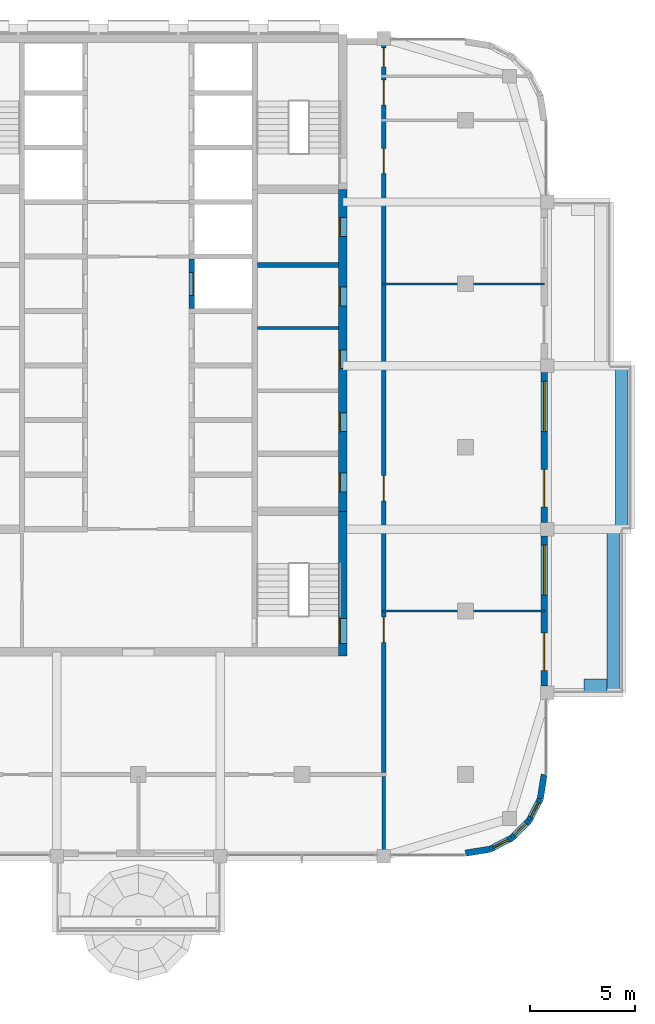
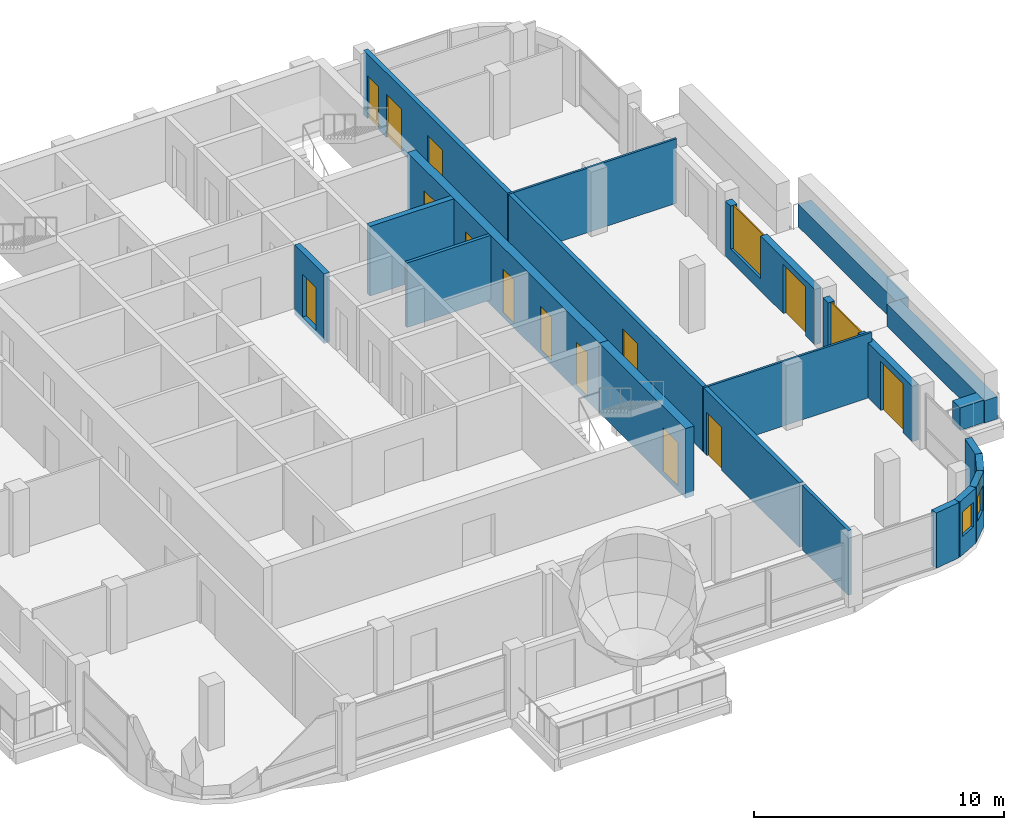
# One storey, part 12 of 19: 19 walls, 14 doors, 5 windows, 19 openings.
"""IFC4 building model written with IfcOpenShell, lengths in metres."""

from ifc_helpers import new_model, si_unit, direction, frame, frame_2d, origin, place, context, subcontext, project, spatial, rectangle, extrude, material, layer, layer_set, type_object, element, fill, save


model = new_model("IFC4")

# Units and contexts
model_context = context("Model", 3, precision=1e-05, world=origin(), true_north=direction((0.0, 1.0)))
body_context = subcontext(model_context, "Body", "Model", "MODEL_VIEW")
ifc_project = project(units=[si_unit("LENGTHUNIT", "METRE"), si_unit("AREAUNIT", "SQUARE_METRE"), si_unit("VOLUMEUNIT", "CUBIC_METRE"), si_unit("PLANEANGLEUNIT", "RADIAN"), si_unit("MASSUNIT", "GRAM", prefix="KILO")], contexts=[model_context])

# Site, building, storey
site_placement = place(None, origin())
site = spatial("IfcSite", under=ifc_project, at=site_placement, CompositionType="ELEMENT")
building_placement = place(site_placement, origin())
building = spatial("IfcBuilding", under=site, at=building_placement, Name="Ludao Terraces", CompositionType="ELEMENT")
storey_placement = place(building_placement, frame((0.0, 0.0, 256.199951171875)))
storey = spatial("IfcBuildingStorey", under=building, at=storey_placement, Name="L70", CompositionType="ELEMENT", Elevation=256.199951171875)

# Wall, opening, door
ifc_material_1 = material(Name="Concrete C50", Category="concrete")
ifc_layer_1 = layer(ifc_material_1, 0.39990234375)
ifc_layer_set_1 = layer_set([ifc_layer_1], Name="Core wall 400 C50")
wall_type_1 = type_object("IfcWallType", Name="Core wall 400 C50", PredefinedType="SOLIDWALL", material=ifc_layer_set_1)
wall_1_placement = place(storey_placement, frame((94.75, 55.050048828125, -0.25), z_axis=(0.0, 0.0, 1.0), x_axis=(0.0, 1.0, 0.0)))
wall_1 = element("IfcWall", 1, at=wall_1_placement, inside=storey, type_object=wall_type_1, Name="Core wall L70 outer-E-S3", PredefinedType="SOLIDWALL", context=body_context, shape_type="SweptSolid", body=[
    extrude(rectangle(XDim=6.89990234375, YDim=0.39990234375, at=frame_2d((3.449951171875, 0.0))), origin(), (0.0, 0.0, 1.0), 3.400146484375),
])
opening_1_placement = place(wall_1_placement, frame((0.60009765625, 0.0, 0.25)))
opening_1 = element("IfcOpeningElement", 2, at=opening_1_placement, cuts=wall_1, Name="Opening C4-005", PredefinedType="OPENING", context=body_context, shape_type="SweptSolid", body=[
    extrude(rectangle(XDim=1.199951171875, YDim=2.10009765625, at=frame_2d((0.60009765625, 1.050048828125))), frame((0.0, 0.2099609375, 0.0), z_axis=(0.0, -1.0, 0.0), x_axis=(1.0, 0.0, 0.0)), (0.0, 0.0, 1.0), 0.419921875),
])
ifc_material_2 = material(Name="Steel Q235", Category="steel")
door_type_1 = type_object("IfcDoorType", Name="INT Stair door 1200", OperationType="DOUBLE_DOOR_SINGLE_SWING", PredefinedType="DOOR", material=ifc_material_2)
door_1_placement = place(opening_1_placement, origin())
door_1 = element("IfcDoor", 3, at=door_1_placement, inside=storey, type_object=door_type_1, Name="DOOR 005", OperationType="DOUBLE_DOOR_SINGLE_SWING", OverallHeight=2.10009765625, OverallWidth=1.199951171875, PredefinedType="DOOR", context=body_context, shape_type="SweptSolid", body=[
    extrude(rectangle(XDim=1.199951171875, YDim=2.10009765625, at=frame_2d((0.60009765625, 1.050048828125))), frame((0.0, 0.18505859375, 0.0), z_axis=(0.0, -1.0, 0.0), x_axis=(1.0, 0.0, 0.0)), (0.0, 0.0, 1.0), 0.050048828125),
])
fill(opening_1, door_1)

# Wall, openings, doors
wall_2_placement = place(storey_placement, frame((94.75, 61.949951171875, -0.25), z_axis=(0.0, 0.0, 1.0), x_axis=(0.0, 1.0, 0.0)))
wall_2 = element("IfcWall", 4, at=wall_2_placement, inside=storey, type_object=wall_type_1, Name="Core wall L70 outer-E", PredefinedType="SOLIDWALL", context=body_context, shape_type="SweptSolid", body=[
    extrude(rectangle(XDim=15.35009765625, YDim=0.39990234375, at=frame_2d((7.675048828125, 0.0))), origin(), (0.0, 0.0, 1.0), 3.400146484375),
])
opening_2_placement = place(wall_2_placement, frame((0.925048828125, 0.0, 0.25)))
opening_2 = element("IfcOpeningElement", 5, at=opening_2_placement, cuts=wall_2, Name="Opening C4-015", PredefinedType="OPENING", context=body_context, shape_type="SweptSolid", body=[
    extrude(rectangle(XDim=0.89990234375, YDim=2.10009765625, at=frame_2d((0.449951171875, 1.050048828125))), frame((0.0, 0.2099609375, 0.0), z_axis=(0.0, -1.0, 0.0), x_axis=(1.0, 0.0, 0.0)), (0.0, 0.0, 1.0), 0.419921875),
])
opening_3_placement = place(wall_2_placement, frame((3.800048828125, 0.0, 0.25)))
opening_3 = element("IfcOpeningElement", 6, at=opening_3_placement, cuts=wall_2, Name="Opening C4-019", PredefinedType="OPENING", context=body_context, shape_type="SweptSolid", body=[
    extrude(rectangle(XDim=0.89990234375, YDim=2.10009765625, at=frame_2d((0.449951171875, 1.050048828125))), frame((0.0, 0.2099609375, 0.0), z_axis=(0.0, -1.0, 0.0), x_axis=(1.0, 0.0, 0.0)), (0.0, 0.0, 1.0), 0.419921875),
])
opening_4_placement = place(wall_2_placement, frame((6.800048828125, 0.0, 0.25)))
opening_4 = element("IfcOpeningElement", 7, at=opening_4_placement, cuts=wall_2, Name="Opening C4-024", PredefinedType="OPENING", context=body_context, shape_type="SweptSolid", body=[
    extrude(rectangle(XDim=0.89990234375, YDim=2.10009765625, at=frame_2d((0.449951171875, 1.050048828125))), frame((0.0, 0.2099609375, 0.0), z_axis=(0.0, -1.0, 0.0), x_axis=(1.0, 0.0, 0.0)), (0.0, 0.0, 1.0), 0.419921875),
])
opening_5_placement = place(wall_2_placement, frame((9.800048828125, 0.0, 0.25)))
opening_5 = element("IfcOpeningElement", 8, at=opening_5_placement, cuts=wall_2, Name="Opening C4-028", PredefinedType="OPENING", context=body_context, shape_type="SweptSolid", body=[
    extrude(rectangle(XDim=0.89990234375, YDim=2.10009765625, at=frame_2d((0.449951171875, 1.050048828125))), frame((0.0, 0.2099609375, 0.0), z_axis=(0.0, -1.0, 0.0), x_axis=(1.0, 0.0, 0.0)), (0.0, 0.0, 1.0), 0.419921875),
])
opening_6_placement = place(wall_2_placement, frame((13.10009765625, 0.0, 0.25)))
opening_6 = element("IfcOpeningElement", 9, at=opening_6_placement, cuts=wall_2, Name="Opening C4-035", PredefinedType="OPENING", context=body_context, shape_type="SweptSolid", body=[
    extrude(rectangle(XDim=0.89990234375, YDim=2.10009765625, at=frame_2d((0.449951171875, 1.050048828125))), frame((0.0, 0.2099609375, 0.0), z_axis=(0.0, -1.0, 0.0), x_axis=(1.0, 0.0, 0.0)), (0.0, 0.0, 1.0), 0.419921875),
])
door_type_2 = type_object("IfcDoorType", Name="INT Riser door 900", OperationType="SINGLE_SWING_LEFT", PredefinedType="DOOR", material=ifc_material_2)
door_2_placement = place(opening_2_placement, origin())
door_2 = element("IfcDoor", 10, at=door_2_placement, inside=storey, type_object=door_type_2, Name="DOOR 015", OperationType="SINGLE_SWING_LEFT", OverallHeight=2.10009765625, OverallWidth=0.89990234375, PredefinedType="DOOR", context=body_context, shape_type="SweptSolid", body=[
    extrude(rectangle(XDim=0.89990234375, YDim=2.10009765625, at=frame_2d((0.449951171875, 1.050048828125))), frame((0.0, 0.18505859375, 0.0), z_axis=(0.0, -1.0, 0.0), x_axis=(1.0, 0.0, 0.0)), (0.0, 0.0, 1.0), 0.050048828125),
])
fill(opening_2, door_2)
door_3_placement = place(opening_6_placement, origin())
door_3 = element("IfcDoor", 11, at=door_3_placement, inside=storey, type_object=door_type_2, Name="DOOR 035", OperationType="SINGLE_SWING_RIGHT", OverallHeight=2.10009765625, OverallWidth=0.89990234375, PredefinedType="DOOR", context=body_context, shape_type="SweptSolid", body=[
    extrude(rectangle(XDim=0.89990234375, YDim=2.10009765625, at=frame_2d((0.449951171875, 1.050048828125))), frame((0.0, 0.18505859375, 0.0), z_axis=(0.0, -1.0, 0.0), x_axis=(1.0, 0.0, 0.0)), (0.0, 0.0, 1.0), 0.050048828125),
])
fill(opening_6, door_3)
ifc_material_3 = material(Name="Timber door leaf", Category="wood")
door_type_3 = type_object("IfcDoorType", Name="INT Room door 900", OperationType="SINGLE_SWING_LEFT", PredefinedType="DOOR", material=ifc_material_3)
door_4_placement = place(opening_3_placement, origin())
door_4 = element("IfcDoor", 12, at=door_4_placement, inside=storey, type_object=door_type_3, Name="DOOR 019", OperationType="SINGLE_SWING_LEFT", OverallHeight=2.10009765625, OverallWidth=0.89990234375, PredefinedType="DOOR", context=body_context, shape_type="SweptSolid", body=[
    extrude(rectangle(XDim=0.89990234375, YDim=2.10009765625, at=frame_2d((0.449951171875, 1.050048828125))), frame((0.0, 0.18505859375, 0.0), z_axis=(0.0, -1.0, 0.0), x_axis=(1.0, 0.0, 0.0)), (0.0, 0.0, 1.0), 0.050048828125),
])
fill(opening_3, door_4)
door_5_placement = place(opening_4_placement, origin())
door_5 = element("IfcDoor", 13, at=door_5_placement, inside=storey, type_object=door_type_3, Name="DOOR 024", OperationType="SINGLE_SWING_LEFT", OverallHeight=2.10009765625, OverallWidth=0.89990234375, PredefinedType="DOOR", context=body_context, shape_type="SweptSolid", body=[
    extrude(rectangle(XDim=0.89990234375, YDim=2.10009765625, at=frame_2d((0.449951171875, 1.050048828125))), frame((0.0, 0.18505859375, 0.0), z_axis=(0.0, -1.0, 0.0), x_axis=(1.0, 0.0, 0.0)), (0.0, 0.0, 1.0), 0.050048828125),
])
fill(opening_4, door_5)
door_6_placement = place(opening_5_placement, origin())
door_6 = element("IfcDoor", 14, at=door_6_placement, inside=storey, type_object=door_type_3, Name="DOOR 028", OperationType="SINGLE_SWING_LEFT", OverallHeight=2.10009765625, OverallWidth=0.89990234375, PredefinedType="DOOR", context=body_context, shape_type="SweptSolid", body=[
    extrude(rectangle(XDim=0.89990234375, YDim=2.10009765625, at=frame_2d((0.449951171875, 1.050048828125))), frame((0.0, 0.18505859375, 0.0), z_axis=(0.0, -1.0, 0.0), x_axis=(1.0, 0.0, 0.0)), (0.0, 0.0, 1.0), 0.050048828125),
])
fill(opening_5, door_6)

# Walls
ifc_material_4 = material(Name="Concrete C40", Category="concrete")
ifc_layer_2 = layer(ifc_material_4, 0.60009765625)
ifc_layer_set_2 = layer_set([ifc_layer_2], Name="ENV Planter trough 600")
wall_type_2 = type_object("IfcWallType", Name="ENV Planter trough 600", PredefinedType="USERDEFINED", material=ifc_layer_set_2)
wall_3_placement = place(storey_placement, frame((107.64990234375, 53.300048828125, 0.0), z_axis=(0.0, 0.0, 1.0), x_axis=(0.0, 1.0, 0.0)))
element("IfcWall", 15, at=wall_3_placement, inside=storey, type_object=wall_type_2, Name="PL-L70-E1", ObjectType="PLANTER", PredefinedType="USERDEFINED", context=body_context, shape_type="SweptSolid", body=[
    extrude(rectangle(XDim=7.800048828125, YDim=0.60009765625, at=frame_2d((3.89990234375, 0.0))), origin(), (0.0, 0.0, 1.0), 1.10009765625),
])
wall_4_placement = place(storey_placement, frame((107.35009765625, 53.64990234375, 0.0), z_axis=(0.0, 0.0, 1.0), x_axis=(-1.0, 0.0, 0.0)))
element("IfcWall", 16, at=wall_4_placement, inside=storey, type_object=wall_type_2, Name="PL-L70-E1-SA", ObjectType="PLANTER", PredefinedType="USERDEFINED", context=body_context, shape_type="SweptSolid", body=[
    extrude(rectangle(XDim=1.10009765625, YDim=0.60009765625, at=frame_2d((0.550048828125, 0.0))), origin(), (0.0, 0.0, 1.0), 1.10009765625),
])
wall_5_placement = place(storey_placement, frame((108.050048828125, 61.10009765625, 0.0), z_axis=(0.0, 0.0, 1.0), x_axis=(0.0, 1.0, 0.0)))
element("IfcWall", 17, at=wall_5_placement, inside=storey, type_object=wall_type_2, Name="PL-L70-E2", ObjectType="PLANTER", PredefinedType="USERDEFINED", context=body_context, shape_type="SweptSolid", body=[
    extrude(rectangle(XDim=7.7998046875, YDim=0.60009765625, at=frame_2d((3.89990234375, 0.0))), origin(), (0.0, 0.0, 1.0), 1.10009765625),
])

# Wall, openings, door, window
ifc_material_5 = material(Name="Granite cladding", Category="masonry")
ifc_layer_3 = layer(ifc_material_5, 0.0400390625, Category="stone")
ifc_material_6 = material(Name="Mineral wool")
ifc_layer_4 = layer(ifc_material_6, 0.06005859375)
ifc_layer_5 = layer(ifc_material_4, 0.199951171875, Category="concrete")
ifc_layer_set_3 = layer_set([ifc_layer_3, ifc_layer_4, ifc_layer_5], Name="ENV Stone-clad wall 300")
wall_type_3 = type_object("IfcWallType", Name="ENV Stone-clad wall 300", PredefinedType="SOLIDWALL", material=ifc_layer_set_3)
wall_6_placement = place(storey_placement, frame((104.35009765625, 53.625, 0.0), z_axis=(0.0, 0.0, 1.0), x_axis=(0.0, 1.0, 0.0)))
wall_6 = element("IfcWall", 18, at=wall_6_placement, inside=storey, type_object=wall_type_3, Name="EW-L70-E2", PredefinedType="SOLIDWALL", context=body_context, shape_type="SweptSolid", body=[
    extrude(rectangle(XDim=7.14990234375, YDim=0.300048828125, at=frame_2d((3.574951171875, 0.0))), origin(), (0.0, 0.0, 1.0), 2.699951171875),
])
opening_7_placement = place(wall_6_placement, frame((0.72509765625, 0.0, 0.0)))
opening_7 = element("IfcOpeningElement", 19, at=opening_7_placement, cuts=wall_6, Name="Opening BD", PredefinedType="OPENING", context=body_context, shape_type="SweptSolid", body=[
    extrude(rectangle(XDim=1.800048828125, YDim=2.39990234375, at=frame_2d((0.89990234375, 1.199951171875))), frame((0.0, 0.16015625, 0.0), z_axis=(0.0, -1.0, 0.0), x_axis=(1.0, 0.0, 0.0)), (0.0, 0.0, 1.0), 0.320068359375),
])
opening_8_placement = place(wall_6_placement, frame((4.324951171875, 0.0, 0.60009765625)))
opening_8 = element("IfcOpeningElement", 20, at=opening_8_placement, cuts=wall_6, Name="Opening W4", PredefinedType="OPENING", context=body_context, shape_type="SweptSolid", body=[
    extrude(rectangle(XDim=2.39990234375, YDim=2.10009765625, at=frame_2d((1.199951171875, 1.050048828125))), frame((0.0, 0.16015625, 0.0), z_axis=(0.0, -1.0, 0.0), x_axis=(1.0, 0.0, 0.0)), (0.0, 0.0, 1.0), 0.320068359375),
])
ifc_material_7 = material(Name="Aluminium glazed door", Category="aluminium")
ifc_layer_6 = layer(ifc_material_7, 0.06005859375)
ifc_layer_set_4 = layer_set([ifc_layer_6], Name="ENV Balcony door BD 1800x2400")
door_type_4 = type_object("IfcDoorType", Name="ENV Balcony door BD 1800x2400", OperationType="DOUBLE_DOOR_SINGLE_SWING", PredefinedType="DOOR", material=ifc_layer_set_4)
door_7_placement = place(opening_7_placement, origin())
door_7 = element("IfcDoor", 21, at=door_7_placement, inside=storey, type_object=door_type_4, Name="BD-L70-E2-1", OperationType="DOUBLE_DOOR_SINGLE_SWING", OverallHeight=2.39990234375, OverallWidth=1.800048828125, PredefinedType="DOOR", context=body_context, shape_type="SweptSolid", body=[
    extrude(rectangle(XDim=1.800048828125, YDim=2.39990234375, at=frame_2d((0.89990234375, 1.199951171875))), frame((0.0, 0.02490234375, 0.0), z_axis=(0.0, -1.0, 0.0), x_axis=(1.0, 0.0, 0.0)), (0.0, 0.0, 1.0), 0.050048828125),
])
fill(opening_7, door_7)
ifc_material_8 = material(Name="Clear glass in aluminium frame", Category="aluminium")
ifc_layer_7 = layer(ifc_material_8, 0.06005859375)
ifc_layer_set_5 = layer_set([ifc_layer_7], Name="ENV Window W4 2400x2100")
window_type_1 = type_object("IfcWindowType", Name="ENV Window W4 2400x2100", PartitioningType="SINGLE_PANEL", PredefinedType="WINDOW", material=ifc_layer_set_5)
window_1_placement = place(opening_8_placement, origin())
window_1 = element("IfcWindow", 22, at=window_1_placement, inside=storey, type_object=window_type_1, Name="W-L70-E2-2", OverallHeight=2.10009765625, OverallWidth=2.39990234375, PartitioningType="SINGLE_PANEL", PredefinedType="WINDOW", context=body_context, shape_type="SweptSolid", body=[
    extrude(rectangle(XDim=2.39990234375, YDim=2.10009765625, at=frame_2d((1.199951171875, 1.050048828125))), frame((0.0, 0.030029296875, 0.0), z_axis=(0.0, -1.0, 0.0), x_axis=(1.0, 0.0, 0.0)), (0.0, 0.0, 1.0), 0.06005859375),
])
fill(opening_8, window_1)

wall_7_placement = place(storey_placement, frame((104.35009765625, 61.425048828125, 0.0), z_axis=(0.0, 0.0, 1.0), x_axis=(0.0, 1.0, 0.0)))
wall_7 = element("IfcWall", 23, at=wall_7_placement, inside=storey, type_object=wall_type_3, Name="EW-L70-E3", PredefinedType="SOLIDWALL", context=body_context, shape_type="SweptSolid", body=[
    extrude(rectangle(XDim=7.14990234375, YDim=0.300048828125, at=frame_2d((3.574951171875, 0.0))), origin(), (0.0, 0.0, 1.0), 2.699951171875),
])
opening_9_placement = place(wall_7_placement, frame((0.72509765625, 0.0, 0.0)))
opening_9 = element("IfcOpeningElement", 24, at=opening_9_placement, cuts=wall_7, Name="Opening BD", PredefinedType="OPENING", context=body_context, shape_type="SweptSolid", body=[
    extrude(rectangle(XDim=1.800048828125, YDim=2.39990234375, at=frame_2d((0.89990234375, 1.199951171875))), frame((0.0, 0.16015625, 0.0), z_axis=(0.0, -1.0, 0.0), x_axis=(1.0, 0.0, 0.0)), (0.0, 0.0, 1.0), 0.320068359375),
])
opening_10_placement = place(wall_7_placement, frame((4.324951171875, 0.0, 0.60009765625)))
opening_10 = element("IfcOpeningElement", 25, at=opening_10_placement, cuts=wall_7, Name="Opening W4", PredefinedType="OPENING", context=body_context, shape_type="SweptSolid", body=[
    extrude(rectangle(XDim=2.39990234375, YDim=2.10009765625, at=frame_2d((1.199951171875, 1.050048828125))), frame((0.0, 0.16015625, 0.0), z_axis=(0.0, -1.0, 0.0), x_axis=(1.0, 0.0, 0.0)), (0.0, 0.0, 1.0), 0.320068359375),
])
door_8_placement = place(opening_9_placement, origin())
door_8 = element("IfcDoor", 26, at=door_8_placement, inside=storey, type_object=door_type_4, Name="BD-L70-E3-1", OperationType="DOUBLE_DOOR_SINGLE_SWING", OverallHeight=2.39990234375, OverallWidth=1.800048828125, PredefinedType="DOOR", context=body_context, shape_type="SweptSolid", body=[
    extrude(rectangle(XDim=1.800048828125, YDim=2.39990234375, at=frame_2d((0.89990234375, 1.199951171875))), frame((0.0, 0.02490234375, 0.0), z_axis=(0.0, -1.0, 0.0), x_axis=(1.0, 0.0, 0.0)), (0.0, 0.0, 1.0), 0.050048828125),
])
fill(opening_9, door_8)
window_2_placement = place(opening_10_placement, origin())
window_2 = element("IfcWindow", 27, at=window_2_placement, inside=storey, type_object=window_type_1, Name="W-L70-E3-2", OverallHeight=2.10009765625, OverallWidth=2.39990234375, PartitioningType="SINGLE_PANEL", PredefinedType="WINDOW", context=body_context, shape_type="SweptSolid", body=[
    extrude(rectangle(XDim=2.39990234375, YDim=2.10009765625, at=frame_2d((1.199951171875, 1.050048828125))), frame((0.0, 0.030029296875, 0.0), z_axis=(0.0, -1.0, 0.0), x_axis=(1.0, 0.0, 0.0)), (0.0, 0.0, 1.0), 0.06005859375),
])
fill(opening_10, window_2)

# Wall
wall_8_placement = place(storey_placement, frame((100.60009765625, 45.64990234375, 0.0), z_axis=(0.0, 0.0, 1.0), x_axis=(0.987678452879, 0.156496880861, 0.0)))
element("IfcWall", 28, at=wall_8_placement, inside=storey, type_object=wall_type_3, Name="EW-L70-SE1", PredefinedType="SOLIDWALL", context=body_context, shape_type="SweptSolid", body=[
    extrude(rectangle(XDim=1.173095703125, YDim=0.300048828125, at=frame_2d((0.58642578125, 0.0))), origin(), (0.0, 0.0, 1.0), 2.699951171875),
])

# Wall, opening, window
wall_9_placement = place(storey_placement, frame((101.7587890625, 45.83349609375, 0.0), z_axis=(0.0, 0.0, 1.0), x_axis=(0.890988677504, 0.454025524128, 0.0)))
wall_9 = element("IfcWall", 29, at=wall_9_placement, inside=storey, type_object=wall_type_3, Name="EW-L70-SE2", PredefinedType="SOLIDWALL", context=body_context, shape_type="SweptSolid", body=[
    extrude(rectangle(XDim=1.17333984375, YDim=0.300048828125, at=frame_2d((0.586669921875, 0.0))), origin(), (0.0, 0.0, 1.0), 2.699951171875),
])
opening_11_placement = place(wall_9_placement, frame((0.1865234375, 0.0, 0.89990234375)))
opening_11 = element("IfcOpeningElement", 30, at=opening_11_placement, cuts=wall_9, Name="Opening W3", PredefinedType="OPENING", context=body_context, shape_type="SweptSolid", body=[
    extrude(rectangle(XDim=0.800048828125, YDim=1.199951171875, at=frame_2d((0.39990234375, 0.60009765625))), frame((0.0, 0.16015625, 0.0), z_axis=(0.0, -1.0, 0.0), x_axis=(1.0, 0.0, 0.0)), (0.0, 0.0, 1.0), 0.320068359375),
])
ifc_layer_8 = layer(ifc_material_8, 0.06005859375)
ifc_layer_set_6 = layer_set([ifc_layer_8], Name="ENV Window W3 800x1200")
window_type_2 = type_object("IfcWindowType", Name="ENV Window W3 800x1200", PartitioningType="SINGLE_PANEL", PredefinedType="WINDOW", material=ifc_layer_set_6)
window_3_placement = place(opening_11_placement, origin())
window_3 = element("IfcWindow", 31, at=window_3_placement, inside=storey, type_object=window_type_2, Name="W-L70-SE2", OverallHeight=1.199951171875, OverallWidth=0.800048828125, PartitioningType="SINGLE_PANEL", PredefinedType="WINDOW", context=body_context, shape_type="SweptSolid", body=[
    extrude(rectangle(XDim=0.800048828125, YDim=1.199951171875, at=frame_2d((0.39990234375, 0.60009765625))), frame((0.0, 0.030029296875, 0.0), z_axis=(0.0, -1.0, 0.0), x_axis=(1.0, 0.0, 0.0)), (0.0, 0.0, 1.0), 0.06005859375),
])
fill(opening_11, window_3)

wall_10_placement = place(storey_placement, frame((102.80419921875, 46.3662109375, 0.0), z_axis=(0.0, 0.0, 1.0), x_axis=(0.707106781187, 0.707106781187, 0.0)))
wall_10 = element("IfcWall", 32, at=wall_10_placement, inside=storey, type_object=wall_type_3, Name="EW-L70-SE3", PredefinedType="SOLIDWALL", context=body_context, shape_type="SweptSolid", body=[
    extrude(rectangle(XDim=1.173095703125, YDim=0.300048828125, at=frame_2d((0.58642578125, 0.0))), origin(), (0.0, 0.0, 1.0), 2.699951171875),
])
opening_12_placement = place(wall_10_placement, frame((0.1865234375, 0.0, 0.89990234375)))
opening_12 = element("IfcOpeningElement", 33, at=opening_12_placement, cuts=wall_10, Name="Opening W3", PredefinedType="OPENING", context=body_context, shape_type="SweptSolid", body=[
    extrude(rectangle(XDim=0.800048828125, YDim=1.199951171875, at=frame_2d((0.39990234375, 0.60009765625))), frame((0.0, 0.16015625, 0.0), z_axis=(0.0, -1.0, 0.0), x_axis=(1.0, 0.0, 0.0)), (0.0, 0.0, 1.0), 0.320068359375),
])
window_4_placement = place(opening_12_placement, origin())
window_4 = element("IfcWindow", 34, at=window_4_placement, inside=storey, type_object=window_type_2, Name="W-L70-SE3", OverallHeight=1.199951171875, OverallWidth=0.800048828125, PartitioningType="SINGLE_PANEL", PredefinedType="WINDOW", context=body_context, shape_type="SweptSolid", body=[
    extrude(rectangle(XDim=0.800048828125, YDim=1.199951171875, at=frame_2d((0.39990234375, 0.60009765625))), frame((0.0, 0.030029296875, 0.0), z_axis=(0.0, -1.0, 0.0), x_axis=(1.0, 0.0, 0.0)), (0.0, 0.0, 1.0), 0.06005859375),
])
fill(opening_12, window_4)

wall_11_placement = place(storey_placement, frame((103.6337890625, 47.19580078125, 0.0), z_axis=(0.0, 0.0, 1.0), x_axis=(0.454025524128, 0.890988677504, 0.0)))
wall_11 = element("IfcWall", 35, at=wall_11_placement, inside=storey, type_object=wall_type_3, Name="EW-L70-SE4", PredefinedType="SOLIDWALL", context=body_context, shape_type="SweptSolid", body=[
    extrude(rectangle(XDim=1.17333984375, YDim=0.300048828125, at=frame_2d((0.586669921875, 0.0))), origin(), (0.0, 0.0, 1.0), 2.699951171875),
])
opening_13_placement = place(wall_11_placement, frame((0.1865234375, 0.0, 0.89990234375)))
opening_13 = element("IfcOpeningElement", 36, at=opening_13_placement, cuts=wall_11, Name="Opening W3", PredefinedType="OPENING", context=body_context, shape_type="SweptSolid", body=[
    extrude(rectangle(XDim=0.800048828125, YDim=1.199951171875, at=frame_2d((0.39990234375, 0.60009765625))), frame((0.0, 0.16015625, 0.0), z_axis=(0.0, -1.0, 0.0), x_axis=(1.0, 0.0, 0.0)), (0.0, 0.0, 1.0), 0.320068359375),
])
window_5_placement = place(opening_13_placement, origin())
window_5 = element("IfcWindow", 37, at=window_5_placement, inside=storey, type_object=window_type_2, Name="W-L70-SE4", OverallHeight=1.199951171875, OverallWidth=0.800048828125, PartitioningType="SINGLE_PANEL", PredefinedType="WINDOW", context=body_context, shape_type="SweptSolid", body=[
    extrude(rectangle(XDim=0.800048828125, YDim=1.199951171875, at=frame_2d((0.39990234375, 0.60009765625))), frame((0.0, 0.030029296875, 0.0), z_axis=(0.0, -1.0, 0.0), x_axis=(1.0, 0.0, 0.0)), (0.0, 0.0, 1.0), 0.06005859375),
])
fill(opening_13, window_5)

# Walls
wall_12_placement = place(storey_placement, frame((104.16650390625, 48.2412109375, 0.0), z_axis=(0.0, 0.0, 1.0), x_axis=(0.156496880861, 0.987678452879, 0.0)))
element("IfcWall", 38, at=wall_12_placement, inside=storey, type_object=wall_type_3, Name="EW-L70-SE5", PredefinedType="SOLIDWALL", context=body_context, shape_type="SweptSolid", body=[
    extrude(rectangle(XDim=1.173095703125, YDim=0.300048828125, at=frame_2d((0.58642578125, 0.0))), origin(), (0.0, 0.0, 1.0), 2.699951171875),
])
ifc_material_9 = material(Name="Fire-rated gypsum plasterboard", Category="gypsum")
ifc_layer_9 = layer(ifc_material_9, 0.012451171875, Category="gypsum")
ifc_layer_10 = layer(ifc_material_6, 0.10009765625, Name="insulation")
ifc_layer_11 = layer(ifc_material_2, 0.02490234375, Name="stud")
ifc_layer_12 = layer(ifc_material_9, 0.012451171875, Category="gypsum")
ifc_layer_set_7 = layer_set([ifc_layer_9, ifc_layer_10, ifc_layer_11, ifc_layer_12], Name="INT Core partition 150")
wall_type_4 = type_object("IfcWallType", Name="INT Core partition 150", PredefinedType="PARTITIONING", material=ifc_layer_set_7)
wall_13_placement = place(storey_placement, frame((90.675048828125, 70.699951171875, 0.0), z_axis=(0.0, 0.0, 1.0), x_axis=(1.0, 0.0, 0.0)))
element("IfcWall", 39, at=wall_13_placement, inside=storey, type_object=wall_type_4, Name="PW-L70-PW008", PredefinedType="PARTITIONING", context=body_context, shape_type="SweptSolid", body=[
    extrude(rectangle(XDim=3.875, YDim=0.14990234375, at=frame_2d((1.9375, 0.0))), origin(), (0.0, 0.0, 1.0), 3.150146484375),
])

# Wall, openings, doors
ifc_material_10 = material(Name="Autoclaved aerated concrete block B06 A3.5", Category="concrete")
ifc_layer_13 = layer(ifc_material_10, 0.199951171875)
ifc_layer_set_8 = layer_set([ifc_layer_13], Name="INT Entrance wall 200")
wall_type_5 = type_object("IfcWallType", Name="INT Entrance wall 200", PredefinedType="PARTITIONING", material=ifc_layer_set_8)
wall_14_placement = place(storey_placement, frame((96.699951171875, 49.5, 0.0), z_axis=(0.0, 0.0, 1.0), x_axis=(0.0, 1.0, 0.0)))
wall_14 = element("IfcWall", 40, at=wall_14_placement, inside=storey, type_object=wall_type_5, Name="PW-L70-PW022", PredefinedType="PARTITIONING", context=body_context, shape_type="SweptSolid", body=[
    extrude(rectangle(XDim=34.864990234375, YDim=0.199951171875, at=frame_2d((17.4326171875, 0.0))), origin(), (0.0, 0.0, 1.0), 3.150146484375),
])
opening_14_placement = place(wall_14_placement, frame((6.2001953125, 0.0, 0.0)))
opening_14 = element("IfcOpeningElement", 41, at=opening_14_placement, cuts=wall_14, Name="Opening C4-007", PredefinedType="OPENING", context=body_context, shape_type="SweptSolid", body=[
    extrude(rectangle(XDim=1.199951171875, YDim=2.10009765625, at=frame_2d((0.60009765625, 1.050048828125))), frame((0.0, 0.10986328125, 0.0), z_axis=(0.0, -1.0, 0.0), x_axis=(1.0, 0.0, 0.0)), (0.0, 0.0, 1.0), 0.219970703125),
])
opening_15_placement = place(wall_14_placement, frame((12.9501953125, 0.0, 0.0)))
opening_15 = element("IfcOpeningElement", 42, at=opening_15_placement, cuts=wall_14, Name="Opening C4-014", PredefinedType="OPENING", context=body_context, shape_type="SweptSolid", body=[
    extrude(rectangle(XDim=1.199951171875, YDim=2.10009765625, at=frame_2d((0.60009765625, 1.050048828125))), frame((0.0, 0.10986328125, 0.0), z_axis=(0.0, -1.0, 0.0), x_axis=(1.0, 0.0, 0.0)), (0.0, 0.0, 1.0), 0.219970703125),
])
opening_16_placement = place(wall_14_placement, frame((28.550048828125, 0.0, 0.0)))
opening_16 = element("IfcOpeningElement", 43, at=opening_16_placement, cuts=wall_14, Name="Opening C4-042", PredefinedType="OPENING", context=body_context, shape_type="SweptSolid", body=[
    extrude(rectangle(XDim=1.199951171875, YDim=2.10009765625, at=frame_2d((0.60009765625, 1.050048828125))), frame((0.0, 0.10986328125, 0.0), z_axis=(0.0, -1.0, 0.0), x_axis=(1.0, 0.0, 0.0)), (0.0, 0.0, 1.0), 0.219970703125),
])
opening_17_placement = place(wall_14_placement, frame((31.8251953125, 0.0, 0.0)))
opening_17 = element("IfcOpeningElement", 44, at=opening_17_placement, cuts=wall_14, Name="Opening C4-046", PredefinedType="OPENING", context=body_context, shape_type="SweptSolid", body=[
    extrude(rectangle(XDim=1.199951171875, YDim=2.10009765625, at=frame_2d((0.60009765625, 1.050048828125))), frame((0.0, 0.10986328125, 0.0), z_axis=(0.0, -1.0, 0.0), x_axis=(1.0, 0.0, 0.0)), (0.0, 0.0, 1.0), 0.219970703125),
])
opening_18_placement = place(wall_14_placement, frame((33.650146484375, 0.0, 0.0)))
opening_18 = element("IfcOpeningElement", 45, at=opening_18_placement, cuts=wall_14, Name="Opening C4-050", PredefinedType="OPENING", context=body_context, shape_type="SweptSolid", body=[
    extrude(rectangle(XDim=0.89990234375, YDim=2.10009765625, at=frame_2d((0.449951171875, 1.050048828125))), frame((0.0, 0.10986328125, 0.0), z_axis=(0.0, -1.0, 0.0), x_axis=(1.0, 0.0, 0.0)), (0.0, 0.0, 1.0), 0.219970703125),
])
door_type_5 = type_object("IfcDoorType", Name="INT Double door 1200", OperationType="DOUBLE_DOOR_SINGLE_SWING", PredefinedType="DOOR", material=ifc_material_3)
door_9_placement = place(opening_14_placement, origin())
door_9 = element("IfcDoor", 46, at=door_9_placement, inside=storey, type_object=door_type_5, Name="DOOR 007", OperationType="DOUBLE_DOOR_SINGLE_SWING", OverallHeight=2.10009765625, OverallWidth=1.199951171875, PredefinedType="DOOR", context=body_context, shape_type="SweptSolid", body=[
    extrude(rectangle(XDim=1.199951171875, YDim=2.10009765625, at=frame_2d((0.60009765625, 1.050048828125))), frame((0.0, 0.02490234375, 0.0), z_axis=(0.0, -1.0, 0.0), x_axis=(1.0, 0.0, 0.0)), (0.0, 0.0, 1.0), 0.050048828125),
])
fill(opening_14, door_9)
door_10_placement = place(opening_15_placement, origin())
door_10 = element("IfcDoor", 47, at=door_10_placement, inside=storey, type_object=door_type_5, Name="DOOR 014", OperationType="DOUBLE_DOOR_SINGLE_SWING", OverallHeight=2.10009765625, OverallWidth=1.199951171875, PredefinedType="DOOR", context=body_context, shape_type="SweptSolid", body=[
    extrude(rectangle(XDim=1.199951171875, YDim=2.10009765625, at=frame_2d((0.60009765625, 1.050048828125))), frame((0.0, 0.02490234375, 0.0), z_axis=(0.0, -1.0, 0.0), x_axis=(1.0, 0.0, 0.0)), (0.0, 0.0, 1.0), 0.050048828125),
])
fill(opening_15, door_10)
door_11_placement = place(opening_16_placement, origin())
door_11 = element("IfcDoor", 48, at=door_11_placement, inside=storey, type_object=door_type_5, Name="DOOR 042", OperationType="DOUBLE_DOOR_SINGLE_SWING", OverallHeight=2.10009765625, OverallWidth=1.199951171875, PredefinedType="DOOR", context=body_context, shape_type="SweptSolid", body=[
    extrude(rectangle(XDim=1.199951171875, YDim=2.10009765625, at=frame_2d((0.60009765625, 1.050048828125))), frame((0.0, 0.02490234375, 0.0), z_axis=(0.0, -1.0, 0.0), x_axis=(1.0, 0.0, 0.0)), (0.0, 0.0, 1.0), 0.050048828125),
])
fill(opening_16, door_11)
door_12_placement = place(opening_17_placement, origin())
door_12 = element("IfcDoor", 49, at=door_12_placement, inside=storey, type_object=door_type_5, Name="DOOR 046", OperationType="DOUBLE_DOOR_SINGLE_SWING", OverallHeight=2.10009765625, OverallWidth=1.199951171875, PredefinedType="DOOR", context=body_context, shape_type="SweptSolid", body=[
    extrude(rectangle(XDim=1.199951171875, YDim=2.10009765625, at=frame_2d((0.60009765625, 1.050048828125))), frame((0.0, 0.02490234375, 0.0), z_axis=(0.0, -1.0, 0.0), x_axis=(1.0, 0.0, 0.0)), (0.0, 0.0, 1.0), 0.050048828125),
])
fill(opening_17, door_12)
door_13_placement = place(opening_18_placement, origin())
door_13 = element("IfcDoor", 50, at=door_13_placement, inside=storey, type_object=door_type_3, Name="DOOR 050", OperationType="SINGLE_SWING_RIGHT", OverallHeight=2.10009765625, OverallWidth=0.89990234375, PredefinedType="DOOR", context=body_context, shape_type="SweptSolid", body=[
    extrude(rectangle(XDim=0.89990234375, YDim=2.10009765625, at=frame_2d((0.449951171875, 1.050048828125))), frame((0.0, 0.02490234375, 0.0), z_axis=(0.0, -1.0, 0.0), x_axis=(1.0, 0.0, 0.0)), (0.0, 0.0, 1.0), 0.050048828125),
])
fill(opening_18, door_13)

# Walls
ifc_material_11 = material(Name="Gypsum plasterboard", Category="gypsum")
ifc_layer_14 = layer(ifc_material_11, 0.012451171875, Category="gypsum")
ifc_layer_15 = layer(ifc_material_6, 0.06005859375, Name="insulation")
ifc_layer_16 = layer(ifc_material_2, 0.014892578125, Name="stud")
ifc_layer_17 = layer(ifc_material_11, 0.012451171875, Category="gypsum")
ifc_layer_set_9 = layer_set([ifc_layer_14, ifc_layer_15, ifc_layer_16, ifc_layer_17], Name="INT Partition 100")
wall_type_6 = type_object("IfcWallType", Name="INT Partition 100", PredefinedType="PARTITIONING", material=ifc_layer_set_9)
for number, where, z_axis, x_axis, name in (
    (51, (96.60009765625, 57.199951171875, 0.0), (0.0, 0.0, 1.0), (1.0, 0.0, 0.0), "PW-L70-PW002"),
    (52, (96.60009765625, 72.800048828125, 0.0), (0.0, 0.0, 1.0), (1.0, 0.0, 0.0), "PW-L70-PW010"),
):
    element("IfcWall", number, at=place(storey_placement, frame(where, z_axis=z_axis, x_axis=x_axis)), inside=storey, type_object=wall_type_6, Name=name, PredefinedType="PARTITIONING", context=body_context, shape_type="SweptSolid", body=[
        extrude(rectangle(XDim=7.764892578125, YDim=0.10009765625, at=frame_2d((3.88232421875, 0.0))), origin(), (0.0, 0.0, 1.0), 3.150146484375),
    ])
ifc_layer_18 = layer(ifc_material_10, 0.14990234375)
ifc_layer_set_10 = layer_set([ifc_layer_18], Name="INT Party wall 150")
wall_type_7 = type_object("IfcWallType", Name="INT Party wall 150", PredefinedType="PARTITIONING", material=ifc_layer_set_10)
wall_15_placement = place(storey_placement, frame((96.699951171875, 45.635009765625, 0.0), z_axis=(0.0, 0.0, 1.0), x_axis=(0.0, 1.0, 0.0)))
element("IfcWall", 53, at=wall_15_placement, inside=storey, type_object=wall_type_7, Name="PW-L70-PW021", PredefinedType="PARTITIONING", context=body_context, shape_type="SweptSolid", body=[
    extrude(rectangle(XDim=3.6650390625, YDim=0.14990234375, at=frame_2d((1.83251953125, 0.0))), origin(), (0.0, 0.0, 1.0), 3.150146484375),
])

# Wall, opening, door
ifc_layer_19 = layer(ifc_material_1, 0.25)
ifc_layer_set_11 = layer_set([ifc_layer_19], Name="Shaft wall 250 C50")
wall_type_8 = type_object("IfcWallType", Name="Shaft wall 250 C50", PredefinedType="SOLIDWALL", material=ifc_layer_set_11)
wall_16_placement = place(storey_placement, frame((87.550048828125, 71.625, -0.25), z_axis=(0.0, 0.0, 1.0), x_axis=(0.0, 1.0, 0.0)))
wall_16 = element("IfcWall", 54, at=wall_16_placement, inside=storey, type_object=wall_type_8, Name="Core wall L70 front-E5", PredefinedType="SOLIDWALL", context=body_context, shape_type="SweptSolid", body=[
    extrude(rectangle(XDim=2.35009765625, YDim=0.25, at=frame_2d((1.175048828125, 0.0))), origin(), (0.0, 0.0, 1.0), 3.400146484375),
])
opening_19_placement = place(wall_16_placement, frame((0.625, 0.0, 0.25)))
opening_19 = element("IfcOpeningElement", 55, at=opening_19_placement, cuts=wall_16, Name="Opening LD-LB1", PredefinedType="OPENING", context=body_context, shape_type="SweptSolid", body=[
    extrude(rectangle(XDim=1.10009765625, YDim=2.10009765625, at=frame_2d((0.550048828125, 1.050048828125))), frame((0.0, 0.135009765625, 0.0), z_axis=(0.0, -1.0, 0.0), x_axis=(1.0, 0.0, 0.0)), (0.0, 0.0, 1.0), 0.27001953125),
])
ifc_material_12 = material(Name="Stainless steel 304", Category="steel")
door_type_6 = type_object("IfcDoorType", Name="INT Lift landing door 1100", OperationType="SLIDING_TO_LEFT", PredefinedType="DOOR", material=ifc_material_12)
door_14_placement = place(opening_19_placement, origin())
door_14 = element("IfcDoor", 56, at=door_14_placement, inside=storey, type_object=door_type_6, Name="LANDING DOOR LB1 L70", OperationType="SLIDING_TO_LEFT", OverallHeight=2.10009765625, OverallWidth=1.10009765625, PredefinedType="DOOR", context=body_context, shape_type="SweptSolid", body=[
    extrude(rectangle(XDim=1.10009765625, YDim=2.10009765625, at=frame_2d((0.550048828125, 1.050048828125))), frame((0.0, -0.06005859375, 0.0), z_axis=(0.0, -1.0, 0.0), x_axis=(1.0, 0.0, 0.0)), (0.0, 0.0, 1.0), 0.050048828125),
])
fill(opening_19, door_14)

# Wall
wall_17_placement = place(storey_placement, frame((90.675048828125, 73.699951171875, -0.25), z_axis=(0.0, 0.0, 1.0), x_axis=(1.0, 0.0, 0.0)))
element("IfcWall", 57, at=wall_17_placement, inside=storey, type_object=wall_type_8, Name="Core wall L70 riser-b-E", PredefinedType="SOLIDWALL", context=body_context, shape_type="SweptSolid", body=[
    extrude(rectangle(XDim=3.875, YDim=0.25, at=frame_2d((1.9375, 0.0))), origin(), (0.0, 0.0, 1.0), 3.400146484375),
])

save(model, "model.ifc")
